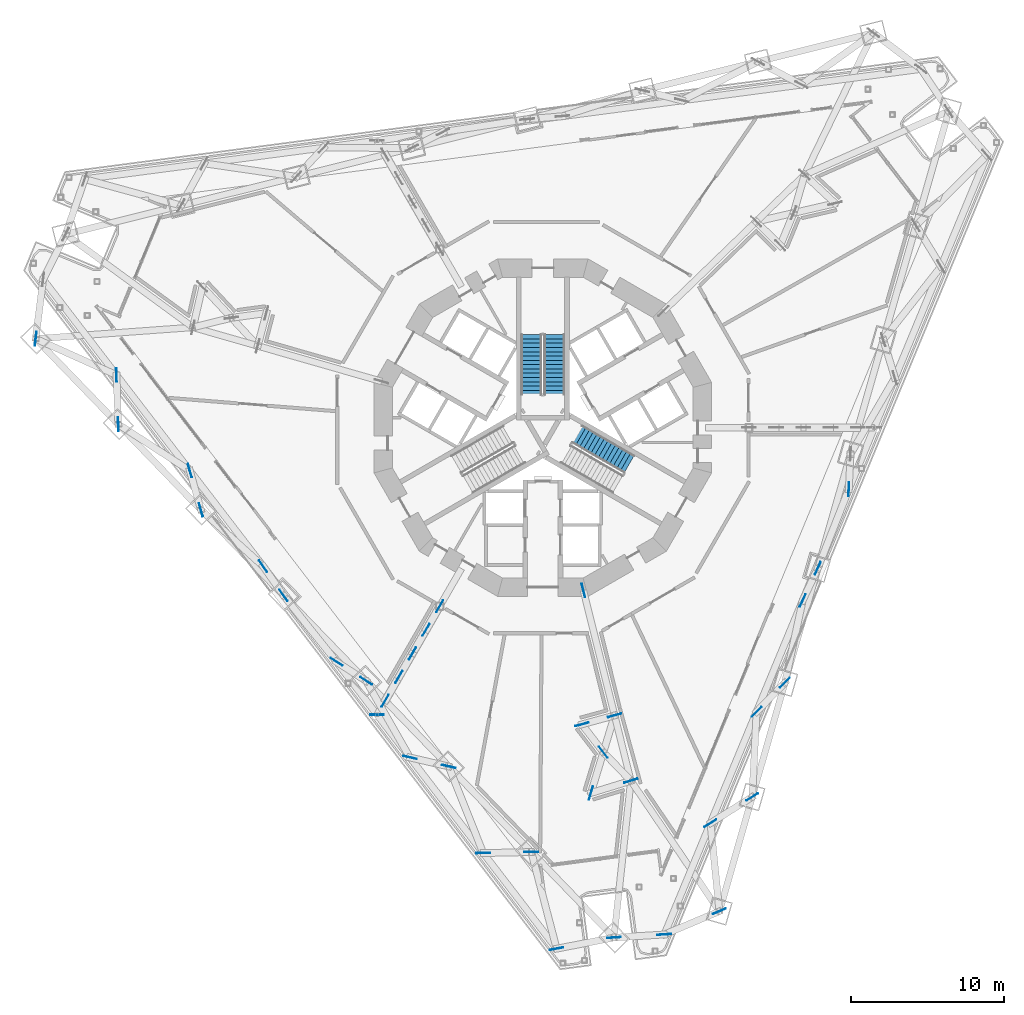
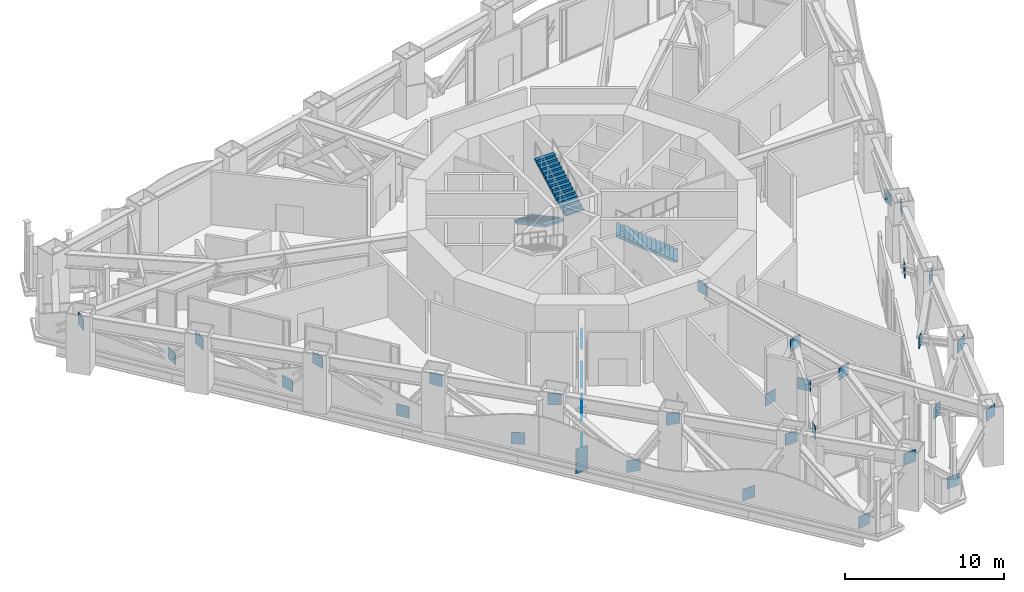
# One storey, part 21 of 31: 40 discrete accessories, 3 stair flights, 2 elements without a shape of their own.
"""IFC4 building model written with IfcOpenShell, lengths in metres."""

from ifc_helpers import new_model, si_unit, direction, frame, origin, origin_2d, place, context, subcontext, project, spatial, polyline, rectangle, outline, extrude, material, type_object, element, aggregate, save


model = new_model("IFC4")

# Units and contexts
model_context = context("Model", 3, precision=1e-05, world=origin(), true_north=direction((0.0, 1.0)))
body_context = subcontext(model_context, "Body", "Model", "MODEL_VIEW")
ifc_project = project(units=[si_unit("LENGTHUNIT", "METRE"), si_unit("AREAUNIT", "SQUARE_METRE"), si_unit("VOLUMEUNIT", "CUBIC_METRE"), si_unit("PLANEANGLEUNIT", "RADIAN"), si_unit("MASSUNIT", "GRAM", prefix="KILO")], contexts=[model_context])

# Site, building, storey
site_placement = place(None, origin())
site = spatial("IfcSite", under=ifc_project, at=site_placement, CompositionType="ELEMENT")
building_placement = place(site_placement, origin())
building = spatial("IfcBuilding", under=site, at=building_placement, Name="Trine Commons Tower", CompositionType="ELEMENT")
storey_placement = place(building_placement, frame((0.0, 0.0, 82.800048828125)))
storey = spatial("IfcBuildingStorey", under=building, at=storey_placement, Name="L20", CompositionType="ELEMENT", Elevation=82.800048828125)

# Stair, stair flights
ifc_material_1 = material(Name="Concrete C50/60", Category="concrete")
stair_type = type_object("IfcStairType", Name="Exit stair, dog-leg, 30 risers of 150 mm", PredefinedType="HALF_TURN_STAIR", material=ifc_material_1)
stair_1_placement = place(storey_placement, origin())
stair_1 = element("IfcStair", 1, at=stair_1_placement, inside=storey, type_object=stair_type, Name="L20 Exit stair ST1A", PredefinedType="HALF_TURN_STAIR")
stair_flight_type = type_object("IfcStairFlightType", Name="Stair flight, 1350 wide, 15 risers of 150 mm", PredefinedType="STRAIGHT", material=ifc_material_1)
stair_flight_1_placement = place(storey_placement, frame((79.25, 68.570556640625, 0.0), z_axis=(0.0, 0.0, 1.0), x_axis=(0.0, -1.0, 0.0)))
stair_flight_1 = element("IfcStairFlight", 2, at=stair_flight_1_placement, type_object=stair_flight_type, Name="ST1A flight 1", NumberOfRisers=15, NumberOfTreads=14, PredefinedType="STRAIGHT", RiserHeight=0.15, TreadLength=0.28, context=body_context, shape_type="SweptSolid", body=[
    extrude(outline(polyline([(0.0, 0.0), (0.0, 0.14990234375), (0.280029296875, 0.14990234375), (0.280029296875, 0.300048828125), (0.56005859375, 0.300048828125), (0.56005859375, 0.449951171875), (0.840087890625, 0.449951171875), (0.840087890625, 0.60009765625), (1.1201171875, 0.60009765625), (1.1201171875, 0.75), (1.39990234375, 0.75), (1.39990234375, 0.89990234375), (1.679931640625, 0.89990234375), (1.679931640625, 1.050048828125), (1.9599609375, 1.050048828125), (1.9599609375, 1.199951171875), (2.239990234375, 1.199951171875), (2.239990234375, 1.35009765625), (2.52001953125, 1.35009765625), (2.52001953125, 1.5), (2.800048828125, 1.5), (2.800048828125, 1.64990234375), (3.080078125, 1.64990234375), (3.080078125, 1.800048828125), (3.360107421875, 1.800048828125), (3.360107421875, 1.949951171875), (3.639892578125, 1.949951171875), (3.639892578125, 2.10009765625), (3.919921875, 2.10009765625), (3.919921875, 2.25), (3.919921875, 1.929931640625), (0.3173828125, 0.0), (0.0, 0.0)])), frame((0.0, 0.675048828125, 0.0), z_axis=(0.0, -1.0, 0.0), x_axis=(1.0, 0.0, 0.0)), (0.0, 0.0, 1.0), 1.35009765625),
])
stair_flight_2_placement = place(storey_placement, frame((80.75, 64.650634765625, 2.25), z_axis=(0.0, 0.0, 1.0), x_axis=(0.0, 1.0, 0.0)))
stair_flight_2 = element("IfcStairFlight", 3, at=stair_flight_2_placement, type_object=stair_flight_type, Name="ST1A flight 2", NumberOfRisers=15, NumberOfTreads=14, PredefinedType="STRAIGHT", RiserHeight=0.15, TreadLength=0.28, context=body_context, shape_type="SweptSolid", body=[
    extrude(outline(polyline([(0.0, 0.0), (0.0, 0.14990234375), (0.280029296875, 0.14990234375), (0.280029296875, 0.300048828125), (0.56005859375, 0.300048828125), (0.56005859375, 0.449951171875), (0.840087890625, 0.449951171875), (0.840087890625, 0.60009765625), (1.1201171875, 0.60009765625), (1.1201171875, 0.75), (1.39990234375, 0.75), (1.39990234375, 0.89990234375), (1.679931640625, 0.89990234375), (1.679931640625, 1.050048828125), (1.9599609375, 1.050048828125), (1.9599609375, 1.199951171875), (2.239990234375, 1.199951171875), (2.239990234375, 1.35009765625), (2.52001953125, 1.35009765625), (2.52001953125, 1.5), (2.800048828125, 1.5), (2.800048828125, 1.64990234375), (3.080078125, 1.64990234375), (3.080078125, 1.800048828125), (3.360107421875, 1.800048828125), (3.360107421875, 1.949951171875), (3.639892578125, 1.949951171875), (3.639892578125, 2.10009765625), (3.919921875, 2.10009765625), (3.919921875, 2.25), (3.919921875, 1.929931640625), (0.3173828125, 0.0), (0.0, 0.0)])), frame((0.0, 0.675048828125, 0.0), z_axis=(0.0, -1.0, 0.0), x_axis=(1.0, 0.0, 0.0)), (0.0, 0.0, 1.0), 1.35009765625),
])
aggregate(stair_1, [stair_flight_1, stair_flight_2])

# Stair, stair flight
stair_2_placement = place(storey_placement, origin())
stair_2 = element("IfcStair", 4, at=stair_2_placement, inside=storey, type_object=stair_type, Name="L20 Exit stair ST3A", PredefinedType="HALF_TURN_STAIR")
stair_flight_3_placement = place(storey_placement, frame((85.63232421875, 60.1142578125, 0.0), z_axis=(0.0, 0.0, 1.0), x_axis=(-0.866025403784, 0.5, 0.0)))
stair_flight_3 = element("IfcStairFlight", 5, at=stair_flight_3_placement, type_object=stair_flight_type, Name="ST3A flight 1", NumberOfRisers=15, NumberOfTreads=14, PredefinedType="STRAIGHT", RiserHeight=0.15, TreadLength=0.28, context=body_context, shape_type="SweptSolid", body=[
    extrude(outline(polyline([(0.0, 0.0), (0.0, 0.14990234375), (0.280029296875, 0.14990234375), (0.280029296875, 0.300048828125), (0.56005859375, 0.300048828125), (0.56005859375, 0.449951171875), (0.840087890625, 0.449951171875), (0.840087890625, 0.60009765625), (1.1201171875, 0.60009765625), (1.1201171875, 0.75), (1.39990234375, 0.75), (1.39990234375, 0.89990234375), (1.679931640625, 0.89990234375), (1.679931640625, 1.050048828125), (1.9599609375, 1.050048828125), (1.9599609375, 1.199951171875), (2.239990234375, 1.199951171875), (2.239990234375, 1.35009765625), (2.52001953125, 1.35009765625), (2.52001953125, 1.5), (2.800048828125, 1.5), (2.800048828125, 1.64990234375), (3.080078125, 1.64990234375), (3.080078125, 1.800048828125), (3.360107421875, 1.800048828125), (3.360107421875, 1.949951171875), (3.639892578125, 1.949951171875), (3.639892578125, 2.10009765625), (3.919921875, 2.10009765625), (3.919921875, 2.25), (3.919921875, 1.929931640625), (0.3173828125, 0.0), (0.0, 0.0)])), frame((0.0, 0.675048828125, 0.0), z_axis=(0.0, -1.0, 0.0), x_axis=(1.0, 0.0, 0.0)), (0.0, 0.0, 1.0), 1.35009765625),
])
aggregate(stair_2, [stair_flight_3])

# Discrete accessories
ifc_material_2 = material(Name="Structural steel ASTM A572 Gr50", Category="steel")
for number, where, z_axis, x_axis, name in (
    (6, (69.188720703125, 43.774169921875, -0.89990234375), (0.0, 0.0, 1.0), (1.0, 0.0, 0.0), "Gusset plate GP2-01"),
    (7, (52.1884765625, 65.92919921875, 0.0546875), (0.0, 0.0, 1.0), (0.036940213793, -0.999317477384, 0.0), "Gusset plate GP2-06"),
    (8, (56.9736328125, 59.693115234375, 0.0546875), (0.0, 0.0, 1.0), (0.272045124705, -0.962284495419, 0.0), "Gusset plate GP2-07"),
    (9, (61.7587890625, 53.45703125, 0.0546875), (0.0, 0.0, 1.0), (0.572489367656, -0.819912144026, 0.0), "Gusset plate GP2-10"),
    (10, (66.5439453125, 47.220703125, 0.0546875), (0.0, 0.0, 1.0), (0.840594966119, -0.541664197576, 0.0), "Gusset plate GP2-13"),
    (11, (71.3291015625, 40.984619140625, 0.0546875), (0.0, 0.0, 1.0), (0.974122129213, -0.226022293985, 0.0), "Gusset plate GP2-14"),
    (12, (76.1142578125, 34.74853515625, 0.0546875), (0.0, 0.0, 1.0), (0.999765819268, 0.021640393312, 0.0), "Gusset plate GP2-16"),
    (13, (80.8994140625, 28.51220703125, 0.0546875), (0.0, 0.0, 1.0), (0.981799951899, 0.189918020344, 0.0), "Gusset plate GP2-17"),
    (14, (82.548095703125, 43.14453125, 0.0546875), (0.0, 0.0, 1.0), (0.964681658601, 0.263418483709, 0.0), "Gusset plate GP2-19"),
    (15, (83.1376953125, 38.6669921875, 0.0546875), (0.0, 0.0, 1.0), (0.291704006862, 0.956508636856, 0.0), "Gusset plate GP2-20"),
    (16, (87.927734375, 29.4375, 0.0546875), (0.0, 0.0, 1.0), (-0.998124128239, -0.06122274599, 0.0), "Gusset plate GP2-21"),
    (17, (90.935791015625, 36.69970703125, 0.0546875), (0.0, 0.0, 1.0), (0.846964214964, 0.531649902258, 0.0), "Gusset plate GP2-23"),
    (18, (93.944091796875, 43.9619140625, 0.0546875), (0.0, 0.0, 1.0), (0.697340256348, 0.71674023668, 0.0), "Gusset plate GP2-24"),
    (19, (96.9521484375, 51.22412109375, 0.0546875), (0.0, 0.0, 1.0), (0.423835869962, 0.905739010606, 0.0), "Gusset plate GP2-27"),
    (20, (99.960205078125, 58.486328125, 0.0546875), (0.0, 0.0, 1.0), (0.048832337332, 0.998806989779, 0.0), "Gusset plate GP2-29"),
    (21, (69.188720703125, 43.774169921875, 0.09619140625), (0.0, 0.0, 1.0), (1.0, 0.0, 0.0), "Gusset plate GP2-34"),
    (22, (69.71728515625, 44.689697265625, 0.09619140625), (0.0, 0.0, 1.0), (-0.500015114919, -0.866016677006, 0.0), "Gusset plate GP2-36"),
    (23, (71.49609375, 47.770751953125, 0.09619140625), (0.0, 0.0, 1.0), (-0.500015114919, -0.866016677006, 0.0), "Gusset plate GP2-38"),
    (24, (73.27490234375, 50.85205078125, 0.09619140625), (0.0, 0.0, 1.0), (-0.5, -0.866025403784, 0.0), "Gusset plate GP2-40"),
    (25, (70.606689453125, 46.230224609375, 1.625), (0.0, 0.0, 1.0), (-0.5, -0.866025403784, 0.0), "Gusset plate GP2-46"),
    (26, (72.385498046875, 49.311279296875, 1.625), (0.0, 0.0, 1.0), (-0.499969769706, -0.866042856549, 0.0), "Gusset plate GP2-48"),
    (27, (83.948974609375, 41.327392578125, 1.68408203125), (0.0, 0.0, 1.0), (0.610546099554, -0.791980719664, 0.0), "Gusset plate GP2-53"),
    (28, (46.918212890625, 68.298583984375, 3.15380859375), (0.0, 0.0, 1.0), (-0.124450084957, -0.992225869626, 0.0), "Gusset plate GP2-55"),
    (29, (52.30712890625, 62.71826171875, 3.15380859375), (0.0, 0.0, 1.0), (0.036940213793, -0.999317477384, 0.0), "Gusset plate GP2-57"),
    (30, (57.696044921875, 57.137939453125, 3.15380859375), (0.0, 0.0, 1.0), (0.272045124705, -0.962284495419, 0.0), "Gusset plate GP2-60"),
    (31, (63.0849609375, 51.5576171875, 3.15380859375), (0.0, 0.0, 1.0), (0.572489367656, -0.819912144026, 0.0), "Gusset plate GP2-62"),
    (32, (68.473876953125, 45.977294921875, 3.15380859375), (0.0, 0.0, 1.0), (0.840594966119, -0.541664197576, 0.0), "Gusset plate GP2-64"),
    (33, (69.71728515625, 44.689697265625, 3.15380859375), (0.0, 0.0, 1.0), (-0.5, -0.866025403784, 0.0), "Gusset plate GP2-66"),
    (34, (71.49609375, 47.770751953125, 3.15380859375), (0.0, 0.0, 1.0), (-0.5, -0.866025403784, 0.0), "Gusset plate GP2-69"),
    (35, (73.27490234375, 50.85205078125, 3.15380859375), (0.0, 0.0, 1.0), (-0.499969769706, -0.866042856549, 0.0), "Gusset plate GP2-71"),
    (36, (73.86279296875, 40.396728515625, 3.15380859375), (0.0, 0.0, 1.0), (0.974122129213, -0.226022293985, 0.0), "Gusset plate GP2-73"),
    (37, (79.251708984375, 34.81640625, 3.15380859375), (0.0, 0.0, 1.0), (0.999765819268, 0.021640393312, 0.0), "Gusset plate GP2-75"),
    (38, (82.648681640625, 51.876708984375, 3.15380859375), (0.0, 0.0, 1.0), (0.2419218956, -0.970295726276, 0.0), "Gusset plate GP2-76"),
    (39, (84.640625, 29.236083984375, 3.15380859375), (0.0, 0.0, 1.0), (-0.998124128239, -0.06122274599, 0.0), "Gusset plate GP2-77"),
    (40, (84.6806640625, 43.726806640625, 3.15380859375), (0.0, 0.0, 1.0), (0.964681658601, 0.263418483709, 0.0), "Gusset plate GP2-78"),
    (41, (85.742919921875, 39.4658203125, 3.15380859375), (0.0, 0.0, 1.0), (0.956069716737, 0.293139381079, 0.0), "Gusset plate GP2-79"),
    (42, (91.51904296875, 30.950927734375, 3.15380859375), (0.0, 0.0, 1.0), (0.921517851866, 0.388335999737, 0.0), "Gusset plate GP2-82"),
    (43, (93.657470703125, 38.408203125, 3.15380859375), (0.0, 0.0, 1.0), (0.846964214964, 0.531649902258, 0.0), "Gusset plate GP2-84"),
    (44, (95.795654296875, 45.865234375, 3.15380859375), (0.0, 0.0, 1.0), (0.697340256348, 0.71674023668, 0.0), "Gusset plate GP2-87"),
    (45, (97.93408203125, 53.322509765625, 3.15380859375), (0.0, 0.0, 1.0), (0.423835869962, 0.905739010606, 0.0), "Gusset plate GP2-90"),
):
    element("IfcDiscreteAccessory", number, at=place(storey_placement, frame(where, z_axis=z_axis, x_axis=x_axis)), inside=storey, material=ifc_material_2, Name=name, PredefinedType="BRACKET", context=body_context, shape_type="SweptSolid", body=[
        extrude(rectangle(XDim=0.89990234375, YDim=0.0400390625, at=origin_2d()), origin(), (0.0, 0.0, 1.0), 0.89990234375),
    ])

save(model, "model.ifc")
